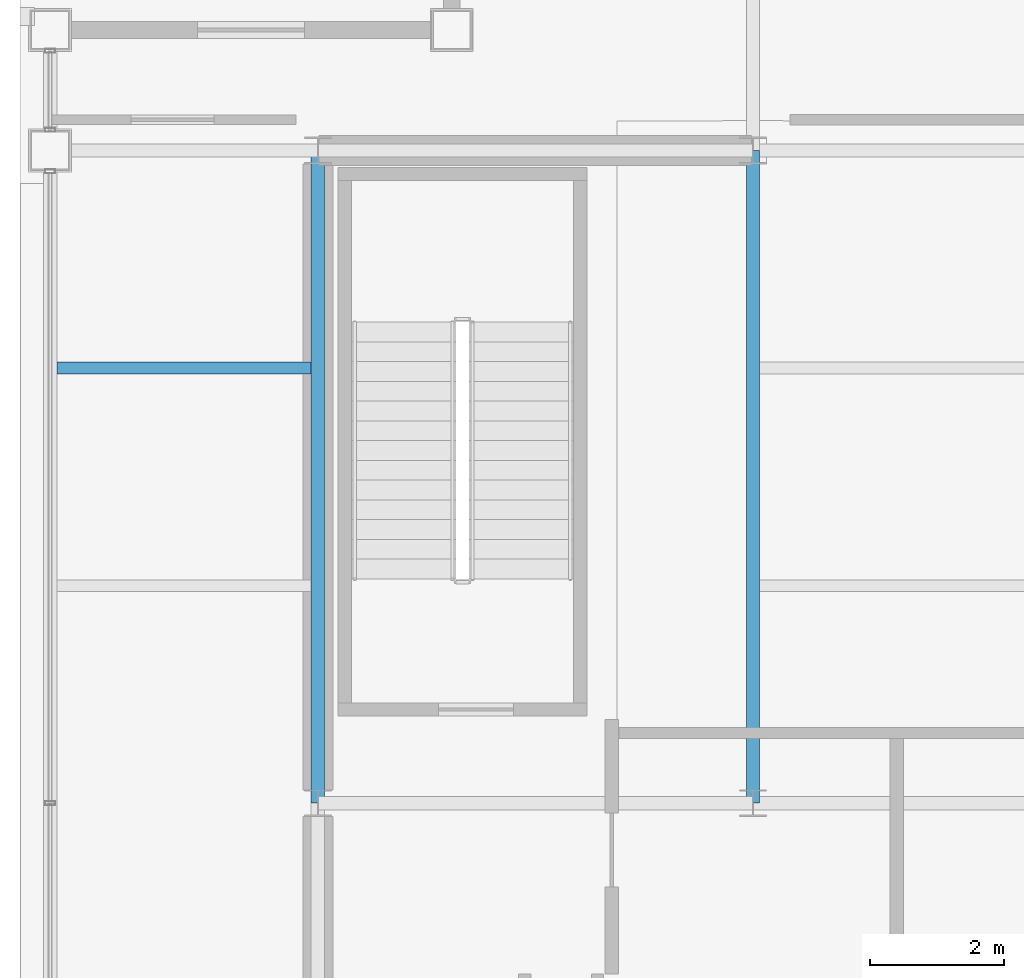
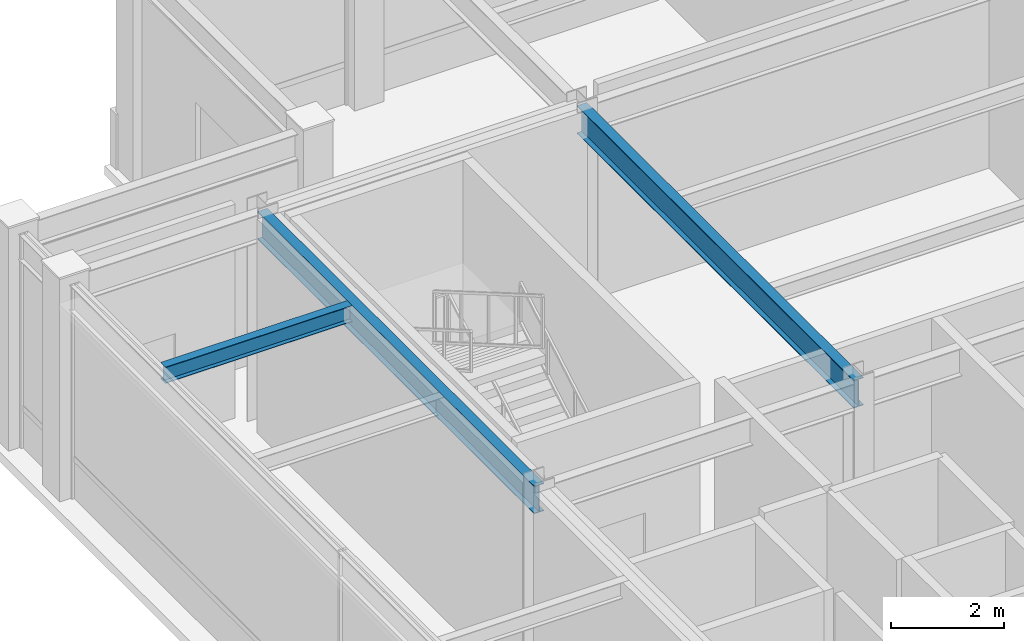
# One storey, part 7 of 21: 3 beams.
"""IFC4 building model written with IfcOpenShell, lengths in metres."""

import ifcopenshell
import ifcopenshell.guid

model = None  # the IFC model being written
_history = None  # IfcOwnerHistory: only IFC2X3 demands one
_inside = {}  # id of a spatial element -> (the spatial element, [elements in it])
_under = {}  # id of a project, library or spatial element -> (it, [spatial elements below it])
_declared = {}  # id of a project -> (the project, [libraries it declares])
_typed = {}  # id of a type object -> (the type object, [elements of that type])
_made_of = {}  # id of a material, layer set ... -> (it, [elements and type objects made of it])


def new_model(schema):
    """Start an empty IFC model of exactly this schema.

    Asked for "IFC4X3", IfcOpenShell would pick the latest addendum, in which some entities
    have other attributes; the version numbers below select the first issue.
    IFC2X3 requires an IfcOwnerHistory on every rooted entity: one is made here for all.
    """
    global model, _history
    if schema == "IFC4X3":
        model = ifcopenshell.file(schema_version=(4, 3, 0, 0))
    else:
        model = ifcopenshell.file(schema=schema)
    _inside.clear()
    _under.clear()
    _declared.clear()
    _typed.clear()
    _made_of.clear()
    _history = None
    if model.schema == "IFC2X3":
        org = make("IfcOrganization", Name="unknown")
        user = make(
            "IfcPersonAndOrganization",
            ThePerson=make("IfcPerson", FamilyName="unknown"),
            TheOrganization=org,
        )
        app = make(
            "IfcApplication",
            ApplicationDeveloper=org,
            Version="unknown",
            ApplicationFullName="unknown",
            ApplicationIdentifier="unknown",
        )
        _history = make(
            "IfcOwnerHistory",
            OwningUser=user,
            OwningApplication=app,
            ChangeAction="ADDED",
            CreationDate=0,
        )
    return model


def make(cls, **values):
    """One entity of the class cls with the attributes given. An attribute that is None is left unset."""
    return model.create_entity(
        cls, **{name: value for name, value in values.items() if value is not None}
    )


def rooted(cls, **values):
    """An entity with a GlobalId (a new one), such as an element, a storey or a relation."""
    return make(cls, GlobalId=ifcopenshell.guid.new(), OwnerHistory=_history, **values)


def si_unit(unit_type, name, prefix=None):
    """IfcSIUnit, for example si_unit("LENGTHUNIT", "METRE", prefix="MILLI")."""
    return make("IfcSIUnit", UnitType=unit_type, Prefix=prefix, Name=name)


def assignment(units):
    """IfcUnitAssignment: the units of a project."""
    return None if units is None else make("IfcUnitAssignment", Units=units)


def point(xyz):
    """IfcCartesianPoint."""
    return None if xyz is None else make("IfcCartesianPoint", Coordinates=xyz)


def direction(xyz):
    """IfcDirection."""
    return None if xyz is None else make("IfcDirection", DirectionRatios=xyz)


def frame(location, z_axis=None, x_axis=None):
    """IfcAxis2Placement3D, a coordinate frame: its origin and axes. An axis left out is left unset."""
    return make(
        "IfcAxis2Placement3D",
        Location=point(location),
        Axis=direction(z_axis),
        RefDirection=direction(x_axis),
    )


def frame_2d(location, x_axis=None):
    """IfcAxis2Placement2D, a coordinate frame in the plane: its origin and x axis."""
    return make(
        "IfcAxis2Placement2D", Location=point(location), RefDirection=direction(x_axis)
    )


def origin():
    """The frame at (0, 0, 0) with its axes left unset."""
    return frame((0.0, 0.0, 0.0))


def origin_2d():
    """The frame at (0, 0) in the plane with its x axis left unset."""
    return frame_2d((0.0, 0.0))


def place(relative_to, where):
    """IfcLocalPlacement: puts the frame where relative to a parent placement (None: the world)."""
    return make(
        "IfcLocalPlacement", PlacementRelTo=relative_to, RelativePlacement=where
    )


def context(
    kind, dimensions, precision=None, world=None, true_north=None, identifier=None
):
    """IfcGeometricRepresentationContext, for example the 3D "Model" context."""
    return make(
        "IfcGeometricRepresentationContext",
        ContextIdentifier=identifier,
        ContextType=kind,
        CoordinateSpaceDimension=dimensions,
        Precision=precision,
        WorldCoordinateSystem=world,
        TrueNorth=true_north,
    )


def subcontext(parent, identifier, kind, view, scale=None):
    """IfcGeometricRepresentationSubContext, for example "Body" below "Model"."""
    return make(
        "IfcGeometricRepresentationSubContext",
        ContextIdentifier=identifier,
        ContextType=kind,
        ParentContext=parent,
        TargetScale=scale,
        TargetView=view,
    )


def project(units=None, contexts=None):
    """IfcProject with its units and contexts."""
    return rooted(
        "IfcProject",
        Name="project",
        RepresentationContexts=contexts,
        UnitsInContext=assignment(units),
    )


def spatial(cls, under=None, at=None, **own):
    """A site, building, storey or space (cls), placed at a placement, below another one or the project."""
    s = rooted(cls, ObjectPlacement=at, **own)
    if under is not None:
        _under.setdefault(under.id(), (under, []))[1].append(s)
    return s


def profile(cls, at=None, kind="AREA", **sizes):
    """A parametric profile (cls). Its sizes go by their IFC names, for example OverallWidth=200.0."""
    return make(cls, ProfileType=kind, Position=at, **sizes)


def i_section(**sizes):
    """IfcIShapeProfileDef."""
    return profile("IfcIShapeProfileDef", **sizes)


def extrude(swept, where, along, depth):
    """IfcExtrudedAreaSolid: the profile swept, set in the frame where, extruded along a direction by depth."""
    return make(
        "IfcExtrudedAreaSolid",
        SweptArea=swept,
        Position=where,
        ExtrudedDirection=direction(along),
        Depth=depth,
    )


def shape(context_of_items, identifier, shape_type, items):
    """IfcShapeRepresentation: the items that make up one representation, for example the "Body"."""
    return make(
        "IfcShapeRepresentation",
        ContextOfItems=context_of_items,
        RepresentationIdentifier=identifier,
        RepresentationType=shape_type,
        Items=items,
    )


def material(Name=None, Category=None):
    """IfcMaterial."""
    return make("IfcMaterial", Name=Name, Category=Category)


def material_profile(
    of_material, cross_section, Name=None, Category=None, Priority=None
):
    """IfcMaterialProfile: a cross section and its material."""
    return make(
        "IfcMaterialProfile",
        Name=Name,
        Material=of_material,
        Profile=cross_section,
        Priority=Priority,
        Category=Category,
    )


def profile_set(profiles, Name=None, composite=None):
    """IfcMaterialProfileSet."""
    return make(
        "IfcMaterialProfileSet",
        Name=Name,
        MaterialProfiles=profiles,
        CompositeProfile=composite,
    )


def made_of(thing, what):
    """Note that an element or type object is made of a material, layer set ...; save() writes the relation."""
    if what is not None:
        _made_of.setdefault(what.id(), (what, []))[1].append(thing)
    return thing


def type_object(cls, material=None, **own):
    """A type object (cls), such as IfcWallType, which elements share."""
    return made_of(rooted(cls, **own), material)


def element(
    cls,
    number,
    at=None,
    inside=None,
    cuts=None,
    type_object=None,
    material=None,
    context=None,
    identifier="Body",
    shape_type=None,
    held_by="IfcProductDefinitionShape",
    body=None,
    shapes=None,
    **own,
):
    """One element of the class cls, such as IfcWall. Its Tag is "e" and its number.

    at: its placement. inside: the storey or other place that contains it. cuts: it is an
    opening in that element (IfcRelVoidsElement). A single representation is given by context,
    identifier, shape_type and body (its items); several are given by shapes. held_by: the class
    of the entity that holds the representations. save() writes the other relations.
    """
    e = rooted(cls, Tag="e%d" % number, ObjectPlacement=at, **own)
    if body is not None:
        shapes = [shape(context, identifier, shape_type, body)]
    if shapes is not None:
        e.Representation = make(held_by, Representations=shapes)
    if inside is not None:
        _inside.setdefault(inside.id(), (inside, []))[1].append(e)
    if cuts is not None:
        rooted(
            "IfcRelVoidsElement", RelatingBuildingElement=cuts, RelatedOpeningElement=e
        )
    if type_object is not None:
        _typed.setdefault(type_object.id(), (type_object, []))[1].append(e)
    return made_of(e, material)


def aggregate(whole, parts):
    """IfcRelAggregates: a whole, such as a stair, and the parts it consists of."""
    return rooted("IfcRelAggregates", RelatingObject=whole, RelatedObjects=parts)


def save(model, path):
    """Write the relations noted so far, then the file.

    IfcRelAggregates (storeys below a building ...), IfcRelContainedInSpatialStructure (elements
    in a storey), IfcRelDefinesByType, IfcRelAssociatesMaterial and IfcRelDeclares: one each for
    every whole, place, type object, material and project.
    """
    for whole, parts in _under.values():
        aggregate(whole, parts)
    for where, things in _inside.values():
        rooted(
            "IfcRelContainedInSpatialStructure",
            RelatedElements=things,
            RelatingStructure=where,
        )
    for kind, things in _typed.values():
        rooted("IfcRelDefinesByType", RelatedObjects=things, RelatingType=kind)
    for what, things in _made_of.values():
        rooted("IfcRelAssociatesMaterial", RelatedObjects=things, RelatingMaterial=what)
    for by, libraries in _declared.values():
        rooted("IfcRelDeclares", RelatingContext=by, RelatedDefinitions=libraries)
    model.write(path)


model = new_model("IFC4")

# Units and contexts
model_context = context("Model", 3, precision=1e-05, world=origin(), true_north=direction((0.0, 1.0)))
body_context = subcontext(model_context, "Body", "Model", "MODEL_VIEW")
ifc_project = project(units=[si_unit("LENGTHUNIT", "METRE"), si_unit("AREAUNIT", "SQUARE_METRE"), si_unit("VOLUMEUNIT", "CUBIC_METRE"), si_unit("PLANEANGLEUNIT", "RADIAN"), si_unit("MASSUNIT", "GRAM", prefix="KILO")], contexts=[model_context])

# Site, building, storey
site_placement = place(None, origin())
site = spatial("IfcSite", under=ifc_project, at=site_placement, CompositionType="ELEMENT")
building_placement = place(site_placement, origin())
building = spatial("IfcBuilding", under=site, at=building_placement, Name="Brelmoor Portico Tower", CompositionType="ELEMENT")
storey_placement = place(building_placement, frame((0.0, 0.0, 284.39990234375)))
storey = spatial("IfcBuildingStorey", under=building, at=storey_placement, Name="L75", CompositionType="ELEMENT", Elevation=284.39990234375)

# Beams
ifc_material = material(Name="Steel Q355B", Category="steel")
ifc_material_profile_1 = material_profile(ifc_material, i_section(OverallWidth=0.175048828125, OverallDepth=0.35009765625, WebThickness=0.007080078125, FlangeThickness=0.010986328125, at=origin_2d()), Name="HN 350x175x7x11")
ifc_profile_set_1 = profile_set([ifc_material_profile_1], Name="Steel Q355B")
beam_type_1 = type_object("IfcBeamType", Name="BM-JS-350", PredefinedType="JOIST", material=ifc_profile_set_1)
beam_placement = place(storey_placement, frame((-18.449951171875, 6.5, 4.425048828125), z_axis=(1.0, 0.0, 0.0), x_axis=(0.0, 1.0, 0.0)))
element("IfcBeam", 1, at=beam_placement, inside=storey, type_object=beam_type_1, Name="L75 Secondary Wing Joist JS-W10", PredefinedType="JOIST", context=body_context, shape_type="SweptSolid", body=[
    extrude(i_section(OverallWidth=0.175048828125, OverallDepth=0.35009765625, WebThickness=0.007080078125, FlangeThickness=0.010986328125, at=origin_2d()), origin(), (0.0, 0.0, 1.0), 3.800048828125),
])
ifc_material_profile_2 = material_profile(ifc_material, i_section(OverallWidth=0.199951171875, OverallDepth=0.60009765625, WebThickness=0.010986328125, FlangeThickness=0.01708984375, at=origin_2d()), Name="HN 600x200x11x17")
ifc_profile_set_2 = profile_set([ifc_material_profile_2], Name="Steel Q355B")
beam_type_2 = type_object("IfcBeamType", Name="BM-PG-600", PredefinedType="BEAM", material=ifc_profile_set_2)
for number, where, z_axis, x_axis, name in (
    (2, (-14.550048828125, 0.0, 4.300048828125), (0.0, 1.0, 0.0), (-1.0, 0.0, 0.0), "L75 Primary Floor Girder PG-02"),
    (3, (-8.050048828125, 0.0, 4.300048828125), (0.0, 1.0, 0.0), (-1.0, 0.0, 0.0), "L75 Primary Floor Girder PG-04"),
):
    element("IfcBeam", number, at=place(storey_placement, frame(where, z_axis=z_axis, x_axis=x_axis)), inside=storey, type_object=beam_type_2, Name=name, PredefinedType="BEAM", context=body_context, shape_type="SweptSolid", body=[
        extrude(i_section(OverallWidth=0.199951171875, OverallDepth=0.60009765625, WebThickness=0.010986328125, FlangeThickness=0.01708984375, at=origin_2d()), origin(), (0.0, 0.0, 1.0), 9.75),
    ])

save(model, "model.ifc")
